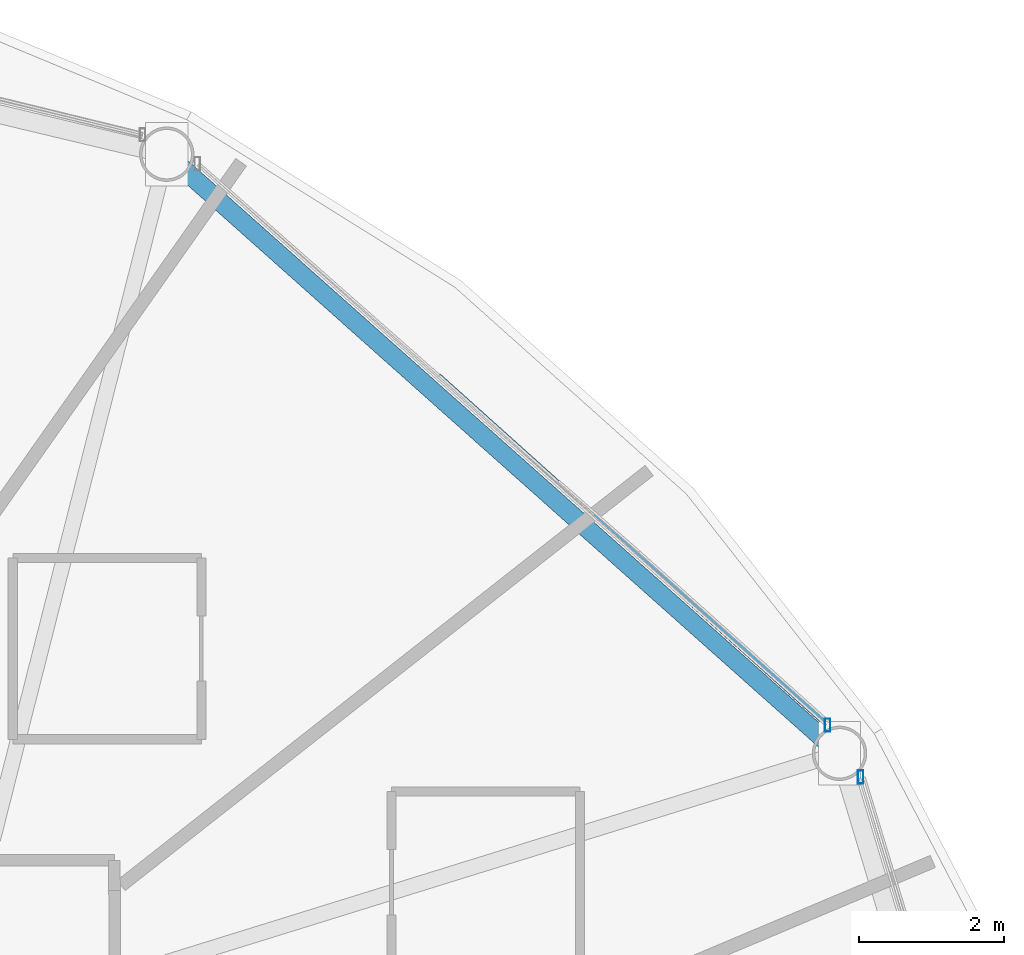
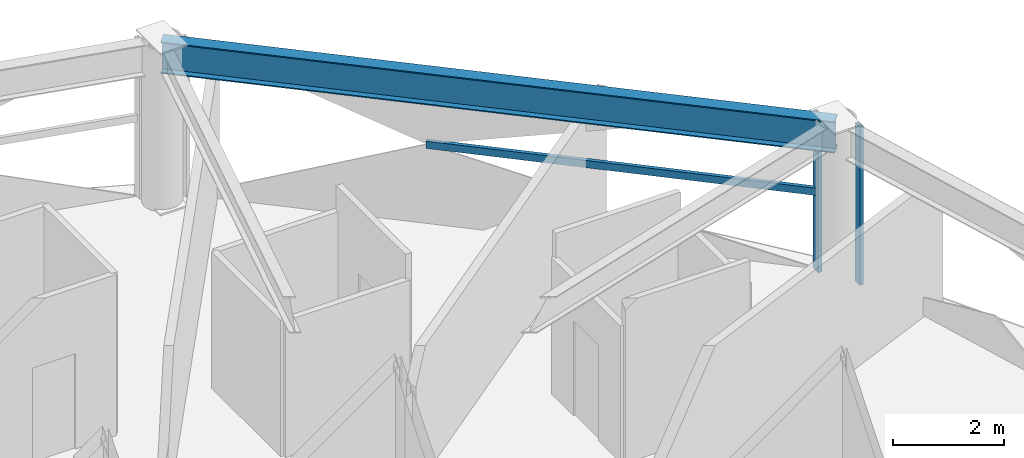
# One storey, part 20 of 31: 3 members, 1 beam, 2 elements without a shape of their own.
"""IFC4 building model written with IfcOpenShell, lengths in metres."""

import ifcopenshell
import ifcopenshell.guid

model = None  # the IFC model being written
_history = None  # IfcOwnerHistory: only IFC2X3 demands one
_inside = {}  # id of a spatial element -> (the spatial element, [elements in it])
_under = {}  # id of a project, library or spatial element -> (it, [spatial elements below it])
_declared = {}  # id of a project -> (the project, [libraries it declares])
_typed = {}  # id of a type object -> (the type object, [elements of that type])
_made_of = {}  # id of a material, layer set ... -> (it, [elements and type objects made of it])


def new_model(schema):
    """Start an empty IFC model of exactly this schema.

    Asked for "IFC4X3", IfcOpenShell would pick the latest addendum, in which some entities
    have other attributes; the version numbers below select the first issue.
    IFC2X3 requires an IfcOwnerHistory on every rooted entity: one is made here for all.
    """
    global model, _history
    if schema == "IFC4X3":
        model = ifcopenshell.file(schema_version=(4, 3, 0, 0))
    else:
        model = ifcopenshell.file(schema=schema)
    _inside.clear()
    _under.clear()
    _declared.clear()
    _typed.clear()
    _made_of.clear()
    _history = None
    if model.schema == "IFC2X3":
        org = make("IfcOrganization", Name="unknown")
        user = make(
            "IfcPersonAndOrganization",
            ThePerson=make("IfcPerson", FamilyName="unknown"),
            TheOrganization=org,
        )
        app = make(
            "IfcApplication",
            ApplicationDeveloper=org,
            Version="unknown",
            ApplicationFullName="unknown",
            ApplicationIdentifier="unknown",
        )
        _history = make(
            "IfcOwnerHistory",
            OwningUser=user,
            OwningApplication=app,
            ChangeAction="ADDED",
            CreationDate=0,
        )
    return model


def make(cls, **values):
    """One entity of the class cls with the attributes given. An attribute that is None is left unset."""
    return model.create_entity(
        cls, **{name: value for name, value in values.items() if value is not None}
    )


def rooted(cls, **values):
    """An entity with a GlobalId (a new one), such as an element, a storey or a relation."""
    return make(cls, GlobalId=ifcopenshell.guid.new(), OwnerHistory=_history, **values)


def si_unit(unit_type, name, prefix=None):
    """IfcSIUnit, for example si_unit("LENGTHUNIT", "METRE", prefix="MILLI")."""
    return make("IfcSIUnit", UnitType=unit_type, Prefix=prefix, Name=name)


def assignment(units):
    """IfcUnitAssignment: the units of a project."""
    return None if units is None else make("IfcUnitAssignment", Units=units)


def point(xyz):
    """IfcCartesianPoint."""
    return None if xyz is None else make("IfcCartesianPoint", Coordinates=xyz)


def direction(xyz):
    """IfcDirection."""
    return None if xyz is None else make("IfcDirection", DirectionRatios=xyz)


def frame(location, z_axis=None, x_axis=None):
    """IfcAxis2Placement3D, a coordinate frame: its origin and axes. An axis left out is left unset."""
    return make(
        "IfcAxis2Placement3D",
        Location=point(location),
        Axis=direction(z_axis),
        RefDirection=direction(x_axis),
    )


def frame_2d(location, x_axis=None):
    """IfcAxis2Placement2D, a coordinate frame in the plane: its origin and x axis."""
    return make(
        "IfcAxis2Placement2D", Location=point(location), RefDirection=direction(x_axis)
    )


def origin():
    """The frame at (0, 0, 0) with its axes left unset."""
    return frame((0.0, 0.0, 0.0))


def origin_2d():
    """The frame at (0, 0) in the plane with its x axis left unset."""
    return frame_2d((0.0, 0.0))


def place(relative_to, where):
    """IfcLocalPlacement: puts the frame where relative to a parent placement (None: the world)."""
    return make(
        "IfcLocalPlacement", PlacementRelTo=relative_to, RelativePlacement=where
    )


def context(
    kind, dimensions, precision=None, world=None, true_north=None, identifier=None
):
    """IfcGeometricRepresentationContext, for example the 3D "Model" context."""
    return make(
        "IfcGeometricRepresentationContext",
        ContextIdentifier=identifier,
        ContextType=kind,
        CoordinateSpaceDimension=dimensions,
        Precision=precision,
        WorldCoordinateSystem=world,
        TrueNorth=true_north,
    )


def subcontext(parent, identifier, kind, view, scale=None):
    """IfcGeometricRepresentationSubContext, for example "Body" below "Model"."""
    return make(
        "IfcGeometricRepresentationSubContext",
        ContextIdentifier=identifier,
        ContextType=kind,
        ParentContext=parent,
        TargetScale=scale,
        TargetView=view,
    )


def project(units=None, contexts=None):
    """IfcProject with its units and contexts."""
    return rooted(
        "IfcProject",
        Name="project",
        RepresentationContexts=contexts,
        UnitsInContext=assignment(units),
    )


def spatial(cls, under=None, at=None, **own):
    """A site, building, storey or space (cls), placed at a placement, below another one or the project."""
    s = rooted(cls, ObjectPlacement=at, **own)
    if under is not None:
        _under.setdefault(under.id(), (under, []))[1].append(s)
    return s


def profile(cls, at=None, kind="AREA", **sizes):
    """A parametric profile (cls). Its sizes go by their IFC names, for example OverallWidth=200.0."""
    return make(cls, ProfileType=kind, Position=at, **sizes)


def hollow_rectangle(**sizes):
    """IfcRectangleHollowProfileDef."""
    return profile("IfcRectangleHollowProfileDef", **sizes)


def i_section(**sizes):
    """IfcIShapeProfileDef."""
    return profile("IfcIShapeProfileDef", **sizes)


def extrude(swept, where, along, depth):
    """IfcExtrudedAreaSolid: the profile swept, set in the frame where, extruded along a direction by depth."""
    return make(
        "IfcExtrudedAreaSolid",
        SweptArea=swept,
        Position=where,
        ExtrudedDirection=direction(along),
        Depth=depth,
    )


def shape(context_of_items, identifier, shape_type, items):
    """IfcShapeRepresentation: the items that make up one representation, for example the "Body"."""
    return make(
        "IfcShapeRepresentation",
        ContextOfItems=context_of_items,
        RepresentationIdentifier=identifier,
        RepresentationType=shape_type,
        Items=items,
    )


def material(Name=None, Category=None):
    """IfcMaterial."""
    return make("IfcMaterial", Name=Name, Category=Category)


def layer(
    of_material, thickness, ventilated=None, Name=None, Category=None, Priority=None
):
    """IfcMaterialLayer: one layer of a wall or slab, of a material (None: an air gap)."""
    return make(
        "IfcMaterialLayer",
        Material=of_material,
        LayerThickness=thickness,
        IsVentilated=ventilated,
        Name=Name,
        Category=Category,
        Priority=Priority,
    )


def layer_set(layers, Name=None):
    """IfcMaterialLayerSet."""
    return make("IfcMaterialLayerSet", MaterialLayers=layers, LayerSetName=Name)


def material_profile(
    of_material, cross_section, Name=None, Category=None, Priority=None
):
    """IfcMaterialProfile: a cross section and its material."""
    return make(
        "IfcMaterialProfile",
        Name=Name,
        Material=of_material,
        Profile=cross_section,
        Priority=Priority,
        Category=Category,
    )


def profile_set(profiles, Name=None, composite=None):
    """IfcMaterialProfileSet."""
    return make(
        "IfcMaterialProfileSet",
        Name=Name,
        MaterialProfiles=profiles,
        CompositeProfile=composite,
    )


def made_of(thing, what):
    """Note that an element or type object is made of a material, layer set ...; save() writes the relation."""
    if what is not None:
        _made_of.setdefault(what.id(), (what, []))[1].append(thing)
    return thing


def type_object(cls, material=None, **own):
    """A type object (cls), such as IfcWallType, which elements share."""
    return made_of(rooted(cls, **own), material)


def element(
    cls,
    number,
    at=None,
    inside=None,
    cuts=None,
    type_object=None,
    material=None,
    context=None,
    identifier="Body",
    shape_type=None,
    held_by="IfcProductDefinitionShape",
    body=None,
    shapes=None,
    **own,
):
    """One element of the class cls, such as IfcWall. Its Tag is "e" and its number.

    at: its placement. inside: the storey or other place that contains it. cuts: it is an
    opening in that element (IfcRelVoidsElement). A single representation is given by context,
    identifier, shape_type and body (its items); several are given by shapes. held_by: the class
    of the entity that holds the representations. save() writes the other relations.
    """
    e = rooted(cls, Tag="e%d" % number, ObjectPlacement=at, **own)
    if body is not None:
        shapes = [shape(context, identifier, shape_type, body)]
    if shapes is not None:
        e.Representation = make(held_by, Representations=shapes)
    if inside is not None:
        _inside.setdefault(inside.id(), (inside, []))[1].append(e)
    if cuts is not None:
        rooted(
            "IfcRelVoidsElement", RelatingBuildingElement=cuts, RelatedOpeningElement=e
        )
    if type_object is not None:
        _typed.setdefault(type_object.id(), (type_object, []))[1].append(e)
    return made_of(e, material)


def aggregate(whole, parts):
    """IfcRelAggregates: a whole, such as a stair, and the parts it consists of."""
    return rooted("IfcRelAggregates", RelatingObject=whole, RelatedObjects=parts)


def save(model, path):
    """Write the relations noted so far, then the file.

    IfcRelAggregates (storeys below a building ...), IfcRelContainedInSpatialStructure (elements
    in a storey), IfcRelDefinesByType, IfcRelAssociatesMaterial and IfcRelDeclares: one each for
    every whole, place, type object, material and project.
    """
    for whole, parts in _under.values():
        aggregate(whole, parts)
    for where, things in _inside.values():
        rooted(
            "IfcRelContainedInSpatialStructure",
            RelatedElements=things,
            RelatingStructure=where,
        )
    for kind, things in _typed.values():
        rooted("IfcRelDefinesByType", RelatedObjects=things, RelatingType=kind)
    for what, things in _made_of.values():
        rooted("IfcRelAssociatesMaterial", RelatedObjects=things, RelatingMaterial=what)
    for by, libraries in _declared.values():
        rooted("IfcRelDeclares", RelatingContext=by, RelatedDefinitions=libraries)
    model.write(path)


model = new_model("IFC4")

# Units and contexts
model_context = context("Model", 3, precision=1e-05, world=origin(), true_north=direction((0.0, 1.0)))
body_context = subcontext(model_context, "Body", "Model", "MODEL_VIEW")
ifc_project = project(units=[si_unit("LENGTHUNIT", "METRE"), si_unit("AREAUNIT", "SQUARE_METRE"), si_unit("VOLUMEUNIT", "CUBIC_METRE"), si_unit("PLANEANGLEUNIT", "RADIAN"), si_unit("MASSUNIT", "GRAM", prefix="KILO")], contexts=[model_context])

# Site, building, storey
site_placement = place(None, origin())
site = spatial("IfcSite", under=ifc_project, at=site_placement, CompositionType="ELEMENT")
building_placement = place(site_placement, origin())
building = spatial("IfcBuilding", under=site, at=building_placement, Name="Vantalir Tower", CompositionType="ELEMENT")
storey_placement = place(building_placement, frame((0.0, 0.0, 123.449951171875)))
storey = spatial("IfcBuildingStorey", under=building, at=storey_placement, Name="L30", CompositionType="ELEMENT", Elevation=123.449951171875)

# Beam
ifc_material_1 = material(Name="Steel S460", Category="steel")
ifc_material_profile_1 = material_profile(ifc_material_1, i_section(OverallWidth=0.256103515625, OverallDepth=0.693115234375, WebThickness=0.014404296875, FlangeThickness=0.023681640625, at=origin_2d()), Name="Steel S460")
ifc_profile_set_1 = profile_set([ifc_material_profile_1], Name="Steel S460")
beam_type = type_object("IfcBeamType", Name="BM-RG-686x254", PredefinedType="USERDEFINED", material=ifc_profile_set_1)
beam_placement = place(storey_placement, frame((53.445068359375, 36.282958984375, 3.22314453125), z_axis=(-0.746791899704, 0.665057785862, 0.0), x_axis=(-0.665057785862, -0.746791899704, 0.0)))
element("IfcBeam", 1, at=beam_placement, inside=storey, type_object=beam_type, Name="L30 Circumferential Ring Girder 02", ObjectType="GIRDER", PredefinedType="USERDEFINED", context=body_context, shape_type="SweptSolid", body=[
    extrude(i_section(OverallWidth=0.256103515625, OverallDepth=0.693115234375, WebThickness=0.014404296875, FlangeThickness=0.023681640625, at=origin_2d()), origin(), (0.0, 0.0, 1.0), 12.419921875),
])

# Curtain wall, member
ifc_material_2 = material(Name="Champagne-silver PVDF aluminium and double-silver Low-E glass", Category="aluminium")
ifc_layer = layer(ifc_material_2, 0.199951171875)
ifc_layer_set = layer_set([ifc_layer], Name="Champagne-silver PVDF aluminium and double-silver Low-E glass")
curtain_wall_type = type_object("IfcCurtainWallType", Name="CW-DIAMOND-Z2", PredefinedType="USERDEFINED", material=ifc_layer_set)
curtain_wall_1_placement = place(storey_placement, origin())
curtain_wall_1 = element("IfcCurtainWall", 2, at=curtain_wall_1_placement, inside=storey, type_object=curtain_wall_type, Name="L30 Quilted Pyramid-Diamond Curtain Wall S01", ObjectType="UNITISED CURTAIN WALL", PredefinedType="USERDEFINED")
ifc_material_3 = material(Name="Champagne-silver PVDF aluminium 6063-T6", Category="aluminium")
ifc_material_profile_2 = material_profile(ifc_material_3, hollow_rectangle(XDim=0.074951171875, YDim=0.179931640625, WallThickness=0.00390625, at=origin_2d()), Name="Champagne-silver PVDF aluminium 6063-T6")
ifc_profile_set_2 = profile_set([ifc_material_profile_2], Name="Champagne-silver PVDF aluminium 6063-T6")
member_type_1 = type_object("IfcMemberType", Name="CWM-180x75", PredefinedType="MULLION", material=ifc_profile_set_2)
member_1_placement = place(storey_placement, frame((53.737060546875, 35.95703125, 0.045166015625), z_axis=(0.0, 0.0, 1.0), x_axis=(1.0, 0.0, 0.0)))
member_1 = element("IfcMember", 3, at=member_1_placement, type_object=member_type_1, Name="CW-L30-S01 Mullion 2", PredefinedType="MULLION", context=body_context, shape_type="SweptSolid", body=[
    extrude(hollow_rectangle(XDim=0.074951171875, YDim=0.179931640625, WallThickness=0.00390625, at=origin_2d()), origin(), (0.0, 0.0, 1.0), 3.47998046875),
])
aggregate(curtain_wall_1, [member_1])

# Curtain wall, members
curtain_wall_2_placement = place(storey_placement, origin())
curtain_wall_2 = element("IfcCurtainWall", 4, at=curtain_wall_2_placement, inside=storey, type_object=curtain_wall_type, Name="L30 Quilted Pyramid-Diamond Curtain Wall S02", ObjectType="UNITISED CURTAIN WALL", PredefinedType="USERDEFINED")
member_2_placement = place(storey_placement, frame((53.281982421875, 36.6708984375, 0.045166015625), z_axis=(0.0, 0.0, 1.0), x_axis=(1.0, 0.0, 0.0)))
member_2 = element("IfcMember", 5, at=member_2_placement, type_object=member_type_1, Name="CW-L30-S02 Mullion 1", PredefinedType="MULLION", context=body_context, shape_type="SweptSolid", body=[
    extrude(hollow_rectangle(XDim=0.074951171875, YDim=0.179931640625, WallThickness=0.00390625, at=origin_2d()), origin(), (0.0, 0.0, 1.0), 3.47998046875),
])
ifc_material_profile_3 = material_profile(ifc_material_3, hollow_rectangle(XDim=0.074951171875, YDim=0.159912109375, WallThickness=0.00390625, at=origin_2d()), Name="Champagne-silver PVDF aluminium 6063-T6")
ifc_profile_set_3 = profile_set([ifc_material_profile_3], Name="Champagne-silver PVDF aluminium 6063-T6")
member_type_2 = type_object("IfcMemberType", Name="CWT-160x75", PredefinedType="USERDEFINED", material=ifc_profile_set_3)
member_3_placement = place(storey_placement, frame((53.281982421875, 36.6708984375, 1.78515625), z_axis=(-0.744311290692, 0.667832840273, 0.0), x_axis=(-0.667832840273, -0.744311290692, 0.0)))
member_3 = element("IfcMember", 6, at=member_3_placement, type_object=member_type_2, Name="CW-L30-S02 Pyramid Fold Ridge Transom", ObjectType="TRANSOM", PredefinedType="USERDEFINED", context=body_context, shape_type="SweptSolid", body=[
    extrude(hollow_rectangle(XDim=0.074951171875, YDim=0.159912109375, WallThickness=0.00390625, at=origin_2d()), origin(), (0.0, 0.0, 1.0), 7.214599609375),
])
aggregate(curtain_wall_2, [member_2, member_3])

save(model, "model.ifc")
